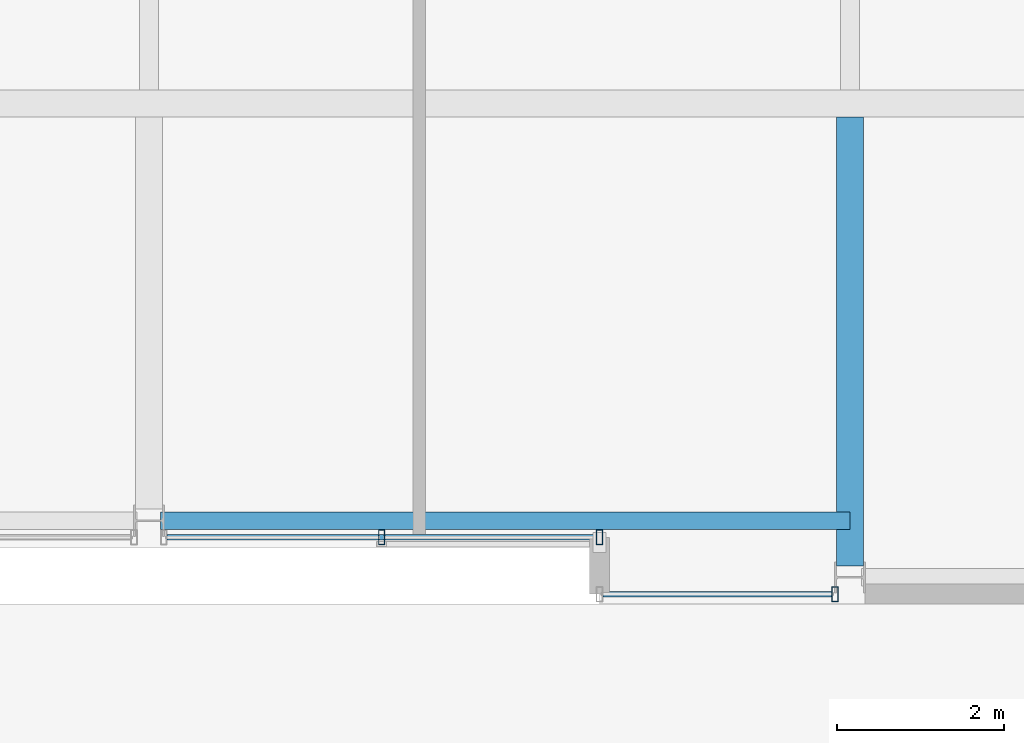
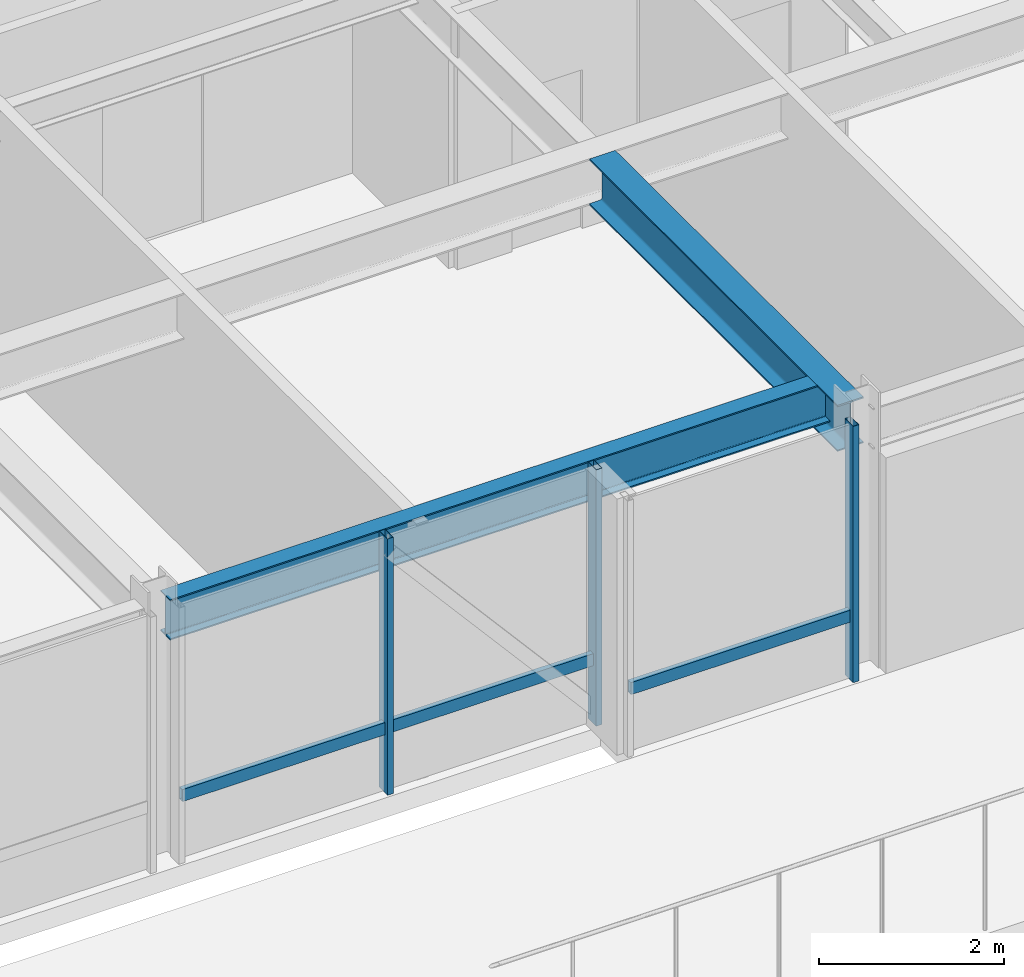
# One storey, part 6 of 32: 5 members, 2 beams, 2 elements without a shape of their own.
"""IFC4 building model written with IfcOpenShell, lengths in metres."""

from ifc_helpers import new_model, si_unit, direction, frame, origin, origin_2d, place, context, subcontext, project, spatial, hollow_rectangle, i_section, extrude, material, layer, layer_set, material_profile, profile_set, type_object, element, aggregate, save


model = new_model("IFC4")

# Units and contexts
model_context = context("Model", 3, precision=1e-05, world=origin(), true_north=direction((0.0, 1.0)))
body_context = subcontext(model_context, "Body", "Model", "MODEL_VIEW")
ifc_project = project(units=[si_unit("LENGTHUNIT", "METRE"), si_unit("AREAUNIT", "SQUARE_METRE"), si_unit("VOLUMEUNIT", "CUBIC_METRE"), si_unit("PLANEANGLEUNIT", "RADIAN"), si_unit("MASSUNIT", "GRAM", prefix="KILO")], contexts=[model_context])

# Site, building, storey
site_placement = place(None, origin())
site = spatial("IfcSite", under=ifc_project, at=site_placement, CompositionType="ELEMENT")
building_placement = place(site_placement, origin())
building = spatial("IfcBuilding", under=site, at=building_placement, Name="Drelvath Grand Hotel", CompositionType="ELEMENT")
storey_placement = place(building_placement, frame((0.0, 0.0, 265.0)))
storey = spatial("IfcBuildingStorey", under=building, at=storey_placement, Name="L69", CompositionType="ELEMENT", Elevation=265.0)

# Curtain wall, member
ifc_material_1 = material(Name="Platinum-Mist Anodised Aluminium Frame", Category="aluminium")
ifc_layer = layer(ifc_material_1, 0.199951171875)
ifc_layer_set = layer_set([ifc_layer], Name="Platinum-Mist Anodised Aluminium Frame")
curtain_wall_type = type_object("IfcCurtainWallType", Name="Stick Curtain Wall CW-05 Platinum Mist High-Rise", PredefinedType="NOTDEFINED", material=ifc_layer_set)
curtain_wall_1_placement = place(storey_placement, origin())
curtain_wall_1 = element("IfcCurtainWall", 1, at=curtain_wall_1_placement, inside=storey, type_object=curtain_wall_type, Name="L69 CW-05 Curtain Wall CW05-L69-SE1", PredefinedType="NOTDEFINED")
ifc_material_profile_1 = material_profile(ifc_material_1, hollow_rectangle(XDim=0.06494140625, YDim=0.159912109375, WallThickness=0.00390625, at=origin_2d()), Name="HSS160X65X4")
ifc_profile_set_1 = profile_set([ifc_material_profile_1], Name="Platinum-Mist Anodised Aluminium Frame")
member_type_1 = type_object("IfcMemberType", Name="Curtain Wall Horizontal Transom CW-05 HSS160X65X4", PredefinedType="USERDEFINED", material=ifc_profile_set_1)
member_1_placement = place(storey_placement, frame((8.181884765625, 4.919921875, 0.847412109375), z_axis=(-1.0, 0.0, 0.0), x_axis=(0.0, -1.0, 0.0)))
member_1 = element("IfcMember", 2, at=member_1_placement, type_object=member_type_1, Name="CW05-L69-SE1 Sill Transom", ObjectType="TRANSOM", PredefinedType="USERDEFINED", context=body_context, shape_type="SweptSolid", body=[
    extrude(hollow_rectangle(XDim=0.06494140625, YDim=0.159912109375, WallThickness=0.00390625, at=origin_2d()), origin(), (0.0, 0.0, 1.0), 2.741943359375),
])

curtain_wall_2_placement = place(storey_placement, origin())
curtain_wall_2 = element("IfcCurtainWall", 3, at=curtain_wall_2_placement, inside=storey, type_object=curtain_wall_type, Name="L69 CW-05 Curtain Wall CW05-L69-SM2", PredefinedType="NOTDEFINED")
member_2_placement = place(storey_placement, frame((5.360107421875, 5.60009765625, 0.847412109375), z_axis=(-1.0, 0.0, 0.0), x_axis=(0.0, -1.0, 0.0)))
member_2 = element("IfcMember", 4, at=member_2_placement, type_object=member_type_1, Name="CW05-L69-SM2 Sill Transom", ObjectType="TRANSOM", PredefinedType="USERDEFINED", context=body_context, shape_type="SweptSolid", body=[
    extrude(hollow_rectangle(XDim=0.06494140625, YDim=0.159912109375, WallThickness=0.00390625, at=origin_2d()), origin(), (0.0, 0.0, 1.0), 5.141845703125),
])

# Member
ifc_material_profile_2 = material_profile(ifc_material_1, hollow_rectangle(XDim=0.074951171875, YDim=0.179931640625, WallThickness=0.0048828125, at=origin_2d()), Name="HSS180X75X5")
ifc_profile_set_2 = profile_set([ifc_material_profile_2], Name="Platinum-Mist Anodised Aluminium Frame")
member_type_2 = type_object("IfcMemberType", Name="Curtain Wall Vertical Mullion CW-05 HSS180X75X5", PredefinedType="MULLION", material=ifc_profile_set_2)
member_3_placement = place(storey_placement, frame((8.2216796875, 4.919921875, 0.0), z_axis=(0.0, 0.0, 1.0), x_axis=(1.0, 0.0, 0.0)))
member_3 = element("IfcMember", 5, at=member_3_placement, type_object=member_type_2, Name="CW05-L69-SE1 Mullion 1", PredefinedType="MULLION", context=body_context, shape_type="SweptSolid", body=[
    extrude(hollow_rectangle(XDim=0.074951171875, YDim=0.179931640625, WallThickness=0.0048828125, at=origin_2d()), origin(), (0.0, 0.0, 1.0), 3.389892578125),
])

aggregate(curtain_wall_1, [member_3, member_1])

member_4_placement = place(storey_placement, frame((5.39990234375, 5.60009765625, 0.0), z_axis=(0.0, 0.0, 1.0), x_axis=(1.0, 0.0, 0.0)))
member_4 = element("IfcMember", 6, at=member_4_placement, type_object=member_type_2, Name="CW05-L69-SM2 Mullion 1", PredefinedType="MULLION", context=body_context, shape_type="SweptSolid", body=[
    extrude(hollow_rectangle(XDim=0.074951171875, YDim=0.179931640625, WallThickness=0.0048828125, at=origin_2d()), origin(), (0.0, 0.0, 1.0), 3.389892578125),
])

member_5_placement = place(storey_placement, frame((2.7890625, 5.60009765625, 0.0), z_axis=(0.0, 0.0, 1.0), x_axis=(1.0, 0.0, 0.0)))
member_5 = element("IfcMember", 7, at=member_5_placement, type_object=member_type_2, Name="CW05-L69-SM2 Mullion 2", PredefinedType="MULLION", context=body_context, shape_type="SweptSolid", body=[
    extrude(hollow_rectangle(XDim=0.074951171875, YDim=0.179931640625, WallThickness=0.0048828125, at=origin_2d()), origin(), (0.0, 0.0, 1.0), 3.389892578125),
])

aggregate(curtain_wall_2, [member_4, member_5, member_2])

# Beams
ifc_material_2 = material(Name="Steel ASTM A992 Gr 50", Category="steel")
ifc_material_profile_3 = material_profile(ifc_material_2, i_section(OverallWidth=0.210205078125, OverallDepth=0.53662109375, WebThickness=0.010986328125, FlangeThickness=0.017333984375, FilletRadius=0.01806640625, at=origin_2d()), Name="W21X68")
ifc_profile_set_3 = profile_set([ifc_material_profile_3], Name="Steel ASTM A992 Gr 50")
beam_type_1 = type_object("IfcBeamType", Name="Perimeter Spandrel Beam W21X68", PredefinedType="SPANDREL", material=ifc_profile_set_3)
beam_1_placement = place(storey_placement, frame((0.139892578125, 5.800048828125, 3.12158203125), z_axis=(1.0, 0.0, 0.0), x_axis=(0.0, 1.0, 0.0)))
element("IfcBeam", 8, at=beam_1_placement, inside=storey, type_object=beam_type_1, Name="L69 Spandrel South Mid E", PredefinedType="SPANDREL", context=body_context, shape_type="SweptSolid", body=[
    extrude(i_section(OverallWidth=0.210205078125, OverallDepth=0.53662109375, WebThickness=0.010986328125, FlangeThickness=0.017333984375, FilletRadius=0.01806640625, at=origin_2d()), origin(), (0.0, 0.0, 1.0), 8.260009765625),
])
ifc_material_profile_4 = material_profile(ifc_material_2, i_section(OverallWidth=0.323974609375, OverallDepth=0.611083984375, WebThickness=0.0126953125, FlangeThickness=0.01904296875, FilletRadius=0.02197265625, at=origin_2d()), Name="W24X104")
ifc_profile_set_4 = profile_set([ifc_material_profile_4], Name="Steel ASTM A992 Gr 50")
beam_type_2 = type_object("IfcBeamType", Name="Primary Floor Girder W24X104", PredefinedType="BEAM", material=ifc_profile_set_4)
beam_2_placement = place(storey_placement, frame((8.39990234375, 5.260009765625, 3.08447265625), z_axis=(0.0, 1.0, 0.0), x_axis=(-1.0, 0.0, 0.0)))
element("IfcBeam", 9, at=beam_2_placement, inside=storey, type_object=beam_type_2, Name="L69 South Wing Girder 6", PredefinedType="BEAM", context=body_context, shape_type="SweptSolid", body=[
    extrude(i_section(OverallWidth=0.323974609375, OverallDepth=0.611083984375, WebThickness=0.0126953125, FlangeThickness=0.01904296875, FilletRadius=0.02197265625, at=origin_2d()), origin(), (0.0, 0.0, 1.0), 5.3779296875),
])

save(model, "model.ifc")
